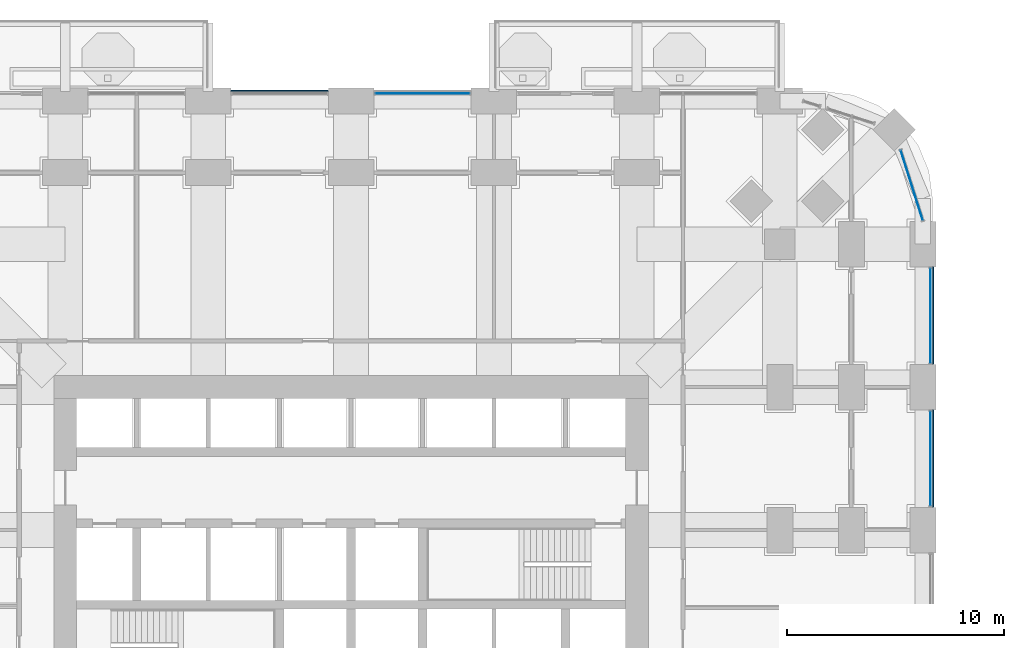
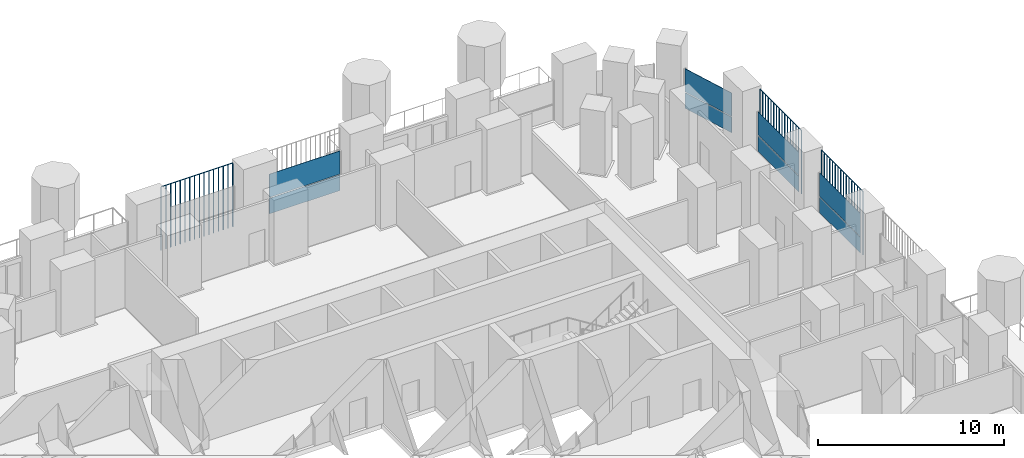
# One storey, part 16 of 27: 11 plates, 4 elements without a shape of their own.
"""IFC4 building model written with IfcOpenShell, lengths in metres."""

from ifc_helpers import new_model, si_unit, direction, frame, origin, origin_2d, place, context, subcontext, project, spatial, polyline, rectangle, outline, extrude, material, layer, layer_set, type_object, element, aggregate, save


model = new_model("IFC4")

# Units and contexts
model_context = context("Model", 3, precision=1e-05, world=origin(), true_north=direction((0.0, 1.0)))
body_context = subcontext(model_context, "Body", "Model", "MODEL_VIEW")
ifc_project = project(units=[si_unit("LENGTHUNIT", "METRE"), si_unit("AREAUNIT", "SQUARE_METRE"), si_unit("VOLUMEUNIT", "CUBIC_METRE"), si_unit("PLANEANGLEUNIT", "RADIAN"), si_unit("MASSUNIT", "GRAM", prefix="KILO")], contexts=[model_context])

# Site, building, storey
site_placement = place(None, origin())
site = spatial("IfcSite", under=ifc_project, at=site_placement, CompositionType="ELEMENT")
building_placement = place(site_placement, origin())
building = spatial("IfcBuilding", under=site, at=building_placement, Name="Cobogo Forest Laboratory Tower", CompositionType="ELEMENT")
storey_placement = place(building_placement, frame((0.0, 0.0, 63.300048828125)))
storey = spatial("IfcBuildingStorey", under=building, at=storey_placement, Name="L14", CompositionType="ELEMENT", Elevation=63.300048828125)

# Curtain wall, plates
ifc_material_1 = material(Name="Aluminium curtain wall", Category="aluminium")
curtain_wall_type = type_object("IfcCurtainWallType", Name="CW-1 unitised curtain wall, clear glazing, laboratory floors zones A and B", PredefinedType="USERDEFINED", material=ifc_material_1)
curtain_wall_1_placement = place(storey_placement, origin())
curtain_wall_1 = element("IfcCurtainWall", 1, at=curtain_wall_1_placement, inside=storey, type_object=curtain_wall_type, Name="Curtain wall 13 L14", ObjectType="UNITISED CURTAIN WALL", PredefinedType="USERDEFINED")
ifc_material_2 = material(Name="Clear insulated glass", Category="glass")
ifc_layer = layer(ifc_material_2, 0.028076171875)
ifc_layer_set = layer_set([ifc_layer], Name="GP-1 clear insulated glass unit 28")
plate_type_1 = type_object("IfcPlateType", Name="GP-1 clear insulated glass unit 28", PredefinedType="CURTAIN_PANEL", material=ifc_layer_set)
plate_1_placement = place(storey_placement, frame((53.14990234375, 29.699951171875, 0.0), z_axis=(0.0, 0.0, 1.0), x_axis=(0.0, 1.0, 0.0)))
plate_1 = element("IfcPlate", 2, at=plate_1_placement, type_object=plate_type_1, Name="CW-1 panel 1.1", PredefinedType="CURTAIN_PANEL", context=body_context, shape_type="SweptSolid", body=[
    extrude(rectangle(XDim=4.3798828125, YDim=0.028076171875, at=origin_2d()), origin(), (0.0, 0.0, 1.0), 1.02001953125),
])
plate_2_placement = place(storey_placement, frame((53.14990234375, 29.699951171875, 1.079833984375), z_axis=(0.0, 0.0, 1.0), x_axis=(0.0, 1.0, 0.0)))
plate_2 = element("IfcPlate", 3, at=plate_2_placement, type_object=plate_type_1, Name="CW-1 panel 1.2", PredefinedType="CURTAIN_PANEL", context=body_context, shape_type="SweptSolid", body=[
    extrude(rectangle(XDim=4.3798828125, YDim=0.028076171875, at=origin_2d()), origin(), (0.0, 0.0, 1.0), 1.52001953125),
])
aggregate(curtain_wall_1, [plate_1, plate_2])

curtain_wall_2_placement = place(storey_placement, origin())
curtain_wall_2 = element("IfcCurtainWall", 4, at=curtain_wall_2_placement, inside=storey, type_object=curtain_wall_type, Name="Curtain wall 14 L14", ObjectType="UNITISED CURTAIN WALL", PredefinedType="USERDEFINED")
plate_3_placement = place(storey_placement, frame((53.14990234375, 36.300048828125, 0.0), z_axis=(0.0, 0.0, 1.0), x_axis=(0.0, 1.0, 0.0)))
plate_3 = element("IfcPlate", 5, at=plate_3_placement, type_object=plate_type_1, Name="CW-1 panel 1.1", PredefinedType="CURTAIN_PANEL", context=body_context, shape_type="SweptSolid", body=[
    extrude(rectangle(XDim=4.3798828125, YDim=0.028076171875, at=origin_2d()), origin(), (0.0, 0.0, 1.0), 1.02001953125),
])
plate_4_placement = place(storey_placement, frame((53.14990234375, 36.300048828125, 1.079833984375), z_axis=(0.0, 0.0, 1.0), x_axis=(0.0, 1.0, 0.0)))
plate_4 = element("IfcPlate", 6, at=plate_4_placement, type_object=plate_type_1, Name="CW-1 panel 1.2", PredefinedType="CURTAIN_PANEL", context=body_context, shape_type="SweptSolid", body=[
    extrude(rectangle(XDim=4.3798828125, YDim=0.028076171875, at=origin_2d()), origin(), (0.0, 0.0, 1.0), 1.52001953125),
])
aggregate(curtain_wall_2, [plate_3, plate_4])

curtain_wall_3_placement = place(storey_placement, origin())
curtain_wall_3 = element("IfcCurtainWall", 7, at=curtain_wall_3_placement, inside=storey, type_object=curtain_wall_type, Name="Curtain wall 15 L14", ObjectType="UNITISED CURTAIN WALL", PredefinedType="USERDEFINED")
plate_5_placement = place(storey_placement, frame((52.291015625, 42.320068359375, 0.0), z_axis=(0.0, 0.0, 1.0), x_axis=(-0.30113535792, 0.95358140513, 0.0)))
plate_5 = element("IfcPlate", 8, at=plate_5_placement, type_object=plate_type_1, Name="CW-1 panel 1.1", PredefinedType="CURTAIN_PANEL", context=body_context, shape_type="SweptSolid", body=[
    extrude(rectangle(XDim=3.382568359375, YDim=0.028076171875, at=origin_2d()), origin(), (0.0, 0.0, 1.0), 1.02001953125),
])
plate_6_placement = place(storey_placement, frame((52.291015625, 42.320068359375, 1.079833984375), z_axis=(0.0, 0.0, 1.0), x_axis=(-0.30113535792, 0.95358140513, 0.0)))
plate_6 = element("IfcPlate", 9, at=plate_6_placement, type_object=plate_type_1, Name="CW-1 panel 1.2", PredefinedType="CURTAIN_PANEL", context=body_context, shape_type="SweptSolid", body=[
    extrude(rectangle(XDim=3.382568359375, YDim=0.028076171875, at=origin_2d()), origin(), (0.0, 0.0, 1.0), 1.52001953125),
])
aggregate(curtain_wall_3, [plate_5, plate_6])

curtain_wall_4_placement = place(storey_placement, origin())
curtain_wall_4 = element("IfcCurtainWall", 10, at=curtain_wall_4_placement, inside=storey, type_object=curtain_wall_type, Name="Curtain wall 20 L14", ObjectType="UNITISED CURTAIN WALL", PredefinedType="USERDEFINED")
plate_7_placement = place(storey_placement, frame((29.699951171875, 46.550048828125, 0.0), z_axis=(0.0, 0.0, 1.0), x_axis=(-1.0, 0.0, 0.0)))
plate_7 = element("IfcPlate", 11, at=plate_7_placement, type_object=plate_type_1, Name="CW-1 panel 1.1", PredefinedType="CURTAIN_PANEL", context=body_context, shape_type="SweptSolid", body=[
    extrude(rectangle(XDim=4.3798828125, YDim=0.028076171875, at=origin_2d()), origin(), (0.0, 0.0, 1.0), 1.02001953125),
])
plate_8_placement = place(storey_placement, frame((29.699951171875, 46.550048828125, 1.079833984375), z_axis=(0.0, 0.0, 1.0), x_axis=(-1.0, 0.0, 0.0)))
plate_8 = element("IfcPlate", 12, at=plate_8_placement, type_object=plate_type_1, Name="CW-1 panel 1.2", PredefinedType="CURTAIN_PANEL", context=body_context, shape_type="SweptSolid", body=[
    extrude(rectangle(XDim=4.3798828125, YDim=0.028076171875, at=origin_2d()), origin(), (0.0, 0.0, 1.0), 1.52001953125),
])
aggregate(curtain_wall_4, [plate_7, plate_8])

# Plates
ifc_material_3 = material(Name="Terracotta", Category="masonry")
plate_type_2 = type_object("IfcPlateType", Name="TB1 terracotta baguette screen", PredefinedType="USERDEFINED", material=ifc_material_3)
plate_9_placement = place(storey_placement, frame((53.27783203125, 27.481201171875, -0.150146484375)))
element("IfcPlate", 13, at=plate_9_placement, inside=storey, type_object=plate_type_2, Name="Baguette screen E4 L14", ObjectType="BAGUETTE SCREEN", PredefinedType="USERDEFINED", context=body_context, shape_type="SweptSolid", body=[
    extrude(outline(polyline([(0.02880859375, 0.011962890625), (0.011962890625, 0.02880859375), (-0.011962890625, 0.02880859375), (-0.02880859375, 0.011962890625), (-0.02880859375, -0.011962890625), (-0.011962890625, -0.02880859375), (0.011962890625, -0.02880859375), (0.02880859375, -0.011962890625), (0.02880859375, 0.011962890625)])), frame((0.0, 0.0, 4.168701171875), z_axis=(0.0, 1.0, 0.0), x_axis=(-1.0, 0.0, 0.0)), (0.0, 0.0, 1.0), 4.4375),
    extrude(outline(polyline([(0.02880859375, 0.011962890625), (0.011962890625, 0.02880859375), (-0.011962890625, 0.02880859375), (-0.02880859375, 0.011962890625), (-0.02880859375, -0.011962890625), (-0.011962890625, -0.02880859375), (0.011962890625, -0.02880859375), (0.02880859375, -0.011962890625), (0.02880859375, 0.011962890625)])), origin(), (0.0, 0.0, 1.0), 4.137451171875),
    extrude(outline(polyline([(0.02880859375, 0.011962890625), (0.011962890625, 0.02880859375), (-0.011962890625, 0.02880859375), (-0.02880859375, 0.011962890625), (-0.02880859375, -0.011962890625), (-0.011962890625, -0.02880859375), (0.011962890625, -0.02880859375), (0.02880859375, -0.011962890625), (0.02880859375, 0.011962890625)])), frame((0.0, 0.2958984375, 0.0)), (0.0, 0.0, 1.0), 4.137451171875),
    extrude(outline(polyline([(0.02880859375, 0.011962890625), (0.011962890625, 0.02880859375), (-0.011962890625, 0.02880859375), (-0.02880859375, 0.011962890625), (-0.02880859375, -0.011962890625), (-0.011962890625, -0.02880859375), (0.011962890625, -0.02880859375), (0.02880859375, -0.011962890625), (0.02880859375, 0.011962890625)])), frame((0.0, 0.591552734375, 0.0)), (0.0, 0.0, 1.0), 4.137451171875),
    extrude(outline(polyline([(0.02880859375, 0.011962890625), (0.011962890625, 0.02880859375), (-0.011962890625, 0.02880859375), (-0.02880859375, 0.011962890625), (-0.02880859375, -0.011962890625), (-0.011962890625, -0.02880859375), (0.011962890625, -0.02880859375), (0.02880859375, -0.011962890625), (0.02880859375, 0.011962890625)])), frame((0.0, 0.887451171875, 0.0)), (0.0, 0.0, 1.0), 4.137451171875),
    extrude(outline(polyline([(0.02880859375, 0.011962890625), (0.011962890625, 0.02880859375), (-0.011962890625, 0.02880859375), (-0.02880859375, 0.011962890625), (-0.02880859375, -0.011962890625), (-0.011962890625, -0.02880859375), (0.011962890625, -0.02880859375), (0.02880859375, -0.011962890625), (0.02880859375, 0.011962890625)])), frame((0.0, 1.183349609375, 0.0)), (0.0, 0.0, 1.0), 4.137451171875),
    extrude(outline(polyline([(0.02880859375, 0.011962890625), (0.011962890625, 0.02880859375), (-0.011962890625, 0.02880859375), (-0.02880859375, 0.011962890625), (-0.02880859375, -0.011962890625), (-0.011962890625, -0.02880859375), (0.011962890625, -0.02880859375), (0.02880859375, -0.011962890625), (0.02880859375, 0.011962890625)])), frame((0.0, 1.479248046875, 0.0)), (0.0, 0.0, 1.0), 4.137451171875),
    extrude(outline(polyline([(0.02880859375, 0.011962890625), (0.011962890625, 0.02880859375), (-0.011962890625, 0.02880859375), (-0.02880859375, 0.011962890625), (-0.02880859375, -0.011962890625), (-0.011962890625, -0.02880859375), (0.011962890625, -0.02880859375), (0.02880859375, -0.011962890625), (0.02880859375, 0.011962890625)])), frame((0.0, 1.77490234375, 0.0)), (0.0, 0.0, 1.0), 4.137451171875),
    extrude(outline(polyline([(0.02880859375, 0.011962890625), (0.011962890625, 0.02880859375), (-0.011962890625, 0.02880859375), (-0.02880859375, 0.011962890625), (-0.02880859375, -0.011962890625), (-0.011962890625, -0.02880859375), (0.011962890625, -0.02880859375), (0.02880859375, -0.011962890625), (0.02880859375, 0.011962890625)])), frame((0.0, 2.07080078125, 0.0)), (0.0, 0.0, 1.0), 4.137451171875),
    extrude(outline(polyline([(0.02880859375, 0.011962890625), (0.011962890625, 0.02880859375), (-0.011962890625, 0.02880859375), (-0.02880859375, 0.011962890625), (-0.02880859375, -0.011962890625), (-0.011962890625, -0.02880859375), (0.011962890625, -0.02880859375), (0.02880859375, -0.011962890625), (0.02880859375, 0.011962890625)])), frame((0.0, 2.36669921875, 0.0)), (0.0, 0.0, 1.0), 4.137451171875),
    extrude(outline(polyline([(0.02880859375, 0.011962890625), (0.011962890625, 0.02880859375), (-0.011962890625, 0.02880859375), (-0.02880859375, 0.011962890625), (-0.02880859375, -0.011962890625), (-0.011962890625, -0.02880859375), (0.011962890625, -0.02880859375), (0.02880859375, -0.011962890625), (0.02880859375, 0.011962890625)])), frame((0.0, 2.66259765625, 0.0)), (0.0, 0.0, 1.0), 4.137451171875),
    extrude(outline(polyline([(0.02880859375, 0.011962890625), (0.011962890625, 0.02880859375), (-0.011962890625, 0.02880859375), (-0.02880859375, 0.011962890625), (-0.02880859375, -0.011962890625), (-0.011962890625, -0.02880859375), (0.011962890625, -0.02880859375), (0.02880859375, -0.011962890625), (0.02880859375, 0.011962890625)])), frame((0.0, 2.958251953125, 0.0)), (0.0, 0.0, 1.0), 4.137451171875),
    extrude(outline(polyline([(0.02880859375, 0.011962890625), (0.011962890625, 0.02880859375), (-0.011962890625, 0.02880859375), (-0.02880859375, 0.011962890625), (-0.02880859375, -0.011962890625), (-0.011962890625, -0.02880859375), (0.011962890625, -0.02880859375), (0.02880859375, -0.011962890625), (0.02880859375, 0.011962890625)])), frame((0.0, 3.254150390625, 0.0)), (0.0, 0.0, 1.0), 4.137451171875),
    extrude(outline(polyline([(0.02880859375, 0.011962890625), (0.011962890625, 0.02880859375), (-0.011962890625, 0.02880859375), (-0.02880859375, 0.011962890625), (-0.02880859375, -0.011962890625), (-0.011962890625, -0.02880859375), (0.011962890625, -0.02880859375), (0.02880859375, -0.011962890625), (0.02880859375, 0.011962890625)])), frame((0.0, 3.550048828125, 0.0)), (0.0, 0.0, 1.0), 4.137451171875),
    extrude(outline(polyline([(0.02880859375, 0.011962890625), (0.011962890625, 0.02880859375), (-0.011962890625, 0.02880859375), (-0.02880859375, 0.011962890625), (-0.02880859375, -0.011962890625), (-0.011962890625, -0.02880859375), (0.011962890625, -0.02880859375), (0.02880859375, -0.011962890625), (0.02880859375, 0.011962890625)])), frame((0.0, 3.845947265625, 0.0)), (0.0, 0.0, 1.0), 4.137451171875),
    extrude(outline(polyline([(0.02880859375, 0.011962890625), (0.011962890625, 0.02880859375), (-0.011962890625, 0.02880859375), (-0.02880859375, 0.011962890625), (-0.02880859375, -0.011962890625), (-0.011962890625, -0.02880859375), (0.011962890625, -0.02880859375), (0.02880859375, -0.011962890625), (0.02880859375, 0.011962890625)])), frame((0.0, 4.1416015625, 0.0)), (0.0, 0.0, 1.0), 4.137451171875),
    extrude(outline(polyline([(0.02880859375, 0.011962890625), (0.011962890625, 0.02880859375), (-0.011962890625, 0.02880859375), (-0.02880859375, 0.011962890625), (-0.02880859375, -0.011962890625), (-0.011962890625, -0.02880859375), (0.011962890625, -0.02880859375), (0.02880859375, -0.011962890625), (0.02880859375, 0.011962890625)])), frame((0.0, 4.4375, 0.0)), (0.0, 0.0, 1.0), 4.137451171875),
])
plate_10_placement = place(storey_placement, frame((53.27783203125, 34.081298828125, -0.150146484375)))
element("IfcPlate", 14, at=plate_10_placement, inside=storey, type_object=plate_type_2, Name="Baguette screen E5 L14", ObjectType="BAGUETTE SCREEN", PredefinedType="USERDEFINED", context=body_context, shape_type="SweptSolid", body=[
    extrude(outline(polyline([(0.02880859375, 0.011962890625), (0.011962890625, 0.02880859375), (-0.011962890625, 0.02880859375), (-0.02880859375, 0.011962890625), (-0.02880859375, -0.011962890625), (-0.011962890625, -0.02880859375), (0.011962890625, -0.02880859375), (0.02880859375, -0.011962890625), (0.02880859375, 0.011962890625)])), frame((0.0, 0.0, 4.168701171875), z_axis=(0.0, 1.0, 0.0), x_axis=(-1.0, 0.0, 0.0)), (0.0, 0.0, 1.0), 4.4375),
    extrude(outline(polyline([(0.02880859375, 0.011962890625), (0.011962890625, 0.02880859375), (-0.011962890625, 0.02880859375), (-0.02880859375, 0.011962890625), (-0.02880859375, -0.011962890625), (-0.011962890625, -0.02880859375), (0.011962890625, -0.02880859375), (0.02880859375, -0.011962890625), (0.02880859375, 0.011962890625)])), origin(), (0.0, 0.0, 1.0), 4.137451171875),
    extrude(outline(polyline([(0.02880859375, 0.011962890625), (0.011962890625, 0.02880859375), (-0.011962890625, 0.02880859375), (-0.02880859375, 0.011962890625), (-0.02880859375, -0.011962890625), (-0.011962890625, -0.02880859375), (0.011962890625, -0.02880859375), (0.02880859375, -0.011962890625), (0.02880859375, 0.011962890625)])), frame((0.0, 0.2958984375, 0.0)), (0.0, 0.0, 1.0), 4.137451171875),
    extrude(outline(polyline([(0.02880859375, 0.011962890625), (0.011962890625, 0.02880859375), (-0.011962890625, 0.02880859375), (-0.02880859375, 0.011962890625), (-0.02880859375, -0.011962890625), (-0.011962890625, -0.02880859375), (0.011962890625, -0.02880859375), (0.02880859375, -0.011962890625), (0.02880859375, 0.011962890625)])), frame((0.0, 0.591552734375, 0.0)), (0.0, 0.0, 1.0), 4.137451171875),
    extrude(outline(polyline([(0.02880859375, 0.011962890625), (0.011962890625, 0.02880859375), (-0.011962890625, 0.02880859375), (-0.02880859375, 0.011962890625), (-0.02880859375, -0.011962890625), (-0.011962890625, -0.02880859375), (0.011962890625, -0.02880859375), (0.02880859375, -0.011962890625), (0.02880859375, 0.011962890625)])), frame((0.0, 0.887451171875, 0.0)), (0.0, 0.0, 1.0), 4.137451171875),
    extrude(outline(polyline([(0.02880859375, 0.011962890625), (0.011962890625, 0.02880859375), (-0.011962890625, 0.02880859375), (-0.02880859375, 0.011962890625), (-0.02880859375, -0.011962890625), (-0.011962890625, -0.02880859375), (0.011962890625, -0.02880859375), (0.02880859375, -0.011962890625), (0.02880859375, 0.011962890625)])), frame((0.0, 1.183349609375, 0.0)), (0.0, 0.0, 1.0), 4.137451171875),
    extrude(outline(polyline([(0.02880859375, 0.011962890625), (0.011962890625, 0.02880859375), (-0.011962890625, 0.02880859375), (-0.02880859375, 0.011962890625), (-0.02880859375, -0.011962890625), (-0.011962890625, -0.02880859375), (0.011962890625, -0.02880859375), (0.02880859375, -0.011962890625), (0.02880859375, 0.011962890625)])), frame((0.0, 1.479248046875, 0.0)), (0.0, 0.0, 1.0), 4.137451171875),
    extrude(outline(polyline([(0.02880859375, 0.011962890625), (0.011962890625, 0.02880859375), (-0.011962890625, 0.02880859375), (-0.02880859375, 0.011962890625), (-0.02880859375, -0.011962890625), (-0.011962890625, -0.02880859375), (0.011962890625, -0.02880859375), (0.02880859375, -0.011962890625), (0.02880859375, 0.011962890625)])), frame((0.0, 1.77490234375, 0.0)), (0.0, 0.0, 1.0), 4.137451171875),
    extrude(outline(polyline([(0.02880859375, 0.011962890625), (0.011962890625, 0.02880859375), (-0.011962890625, 0.02880859375), (-0.02880859375, 0.011962890625), (-0.02880859375, -0.011962890625), (-0.011962890625, -0.02880859375), (0.011962890625, -0.02880859375), (0.02880859375, -0.011962890625), (0.02880859375, 0.011962890625)])), frame((0.0, 2.07080078125, 0.0)), (0.0, 0.0, 1.0), 4.137451171875),
    extrude(outline(polyline([(0.02880859375, 0.011962890625), (0.011962890625, 0.02880859375), (-0.011962890625, 0.02880859375), (-0.02880859375, 0.011962890625), (-0.02880859375, -0.011962890625), (-0.011962890625, -0.02880859375), (0.011962890625, -0.02880859375), (0.02880859375, -0.011962890625), (0.02880859375, 0.011962890625)])), frame((0.0, 2.36669921875, 0.0)), (0.0, 0.0, 1.0), 4.137451171875),
    extrude(outline(polyline([(0.02880859375, 0.011962890625), (0.011962890625, 0.02880859375), (-0.011962890625, 0.02880859375), (-0.02880859375, 0.011962890625), (-0.02880859375, -0.011962890625), (-0.011962890625, -0.02880859375), (0.011962890625, -0.02880859375), (0.02880859375, -0.011962890625), (0.02880859375, 0.011962890625)])), frame((0.0, 2.66259765625, 0.0)), (0.0, 0.0, 1.0), 4.137451171875),
    extrude(outline(polyline([(0.02880859375, 0.011962890625), (0.011962890625, 0.02880859375), (-0.011962890625, 0.02880859375), (-0.02880859375, 0.011962890625), (-0.02880859375, -0.011962890625), (-0.011962890625, -0.02880859375), (0.011962890625, -0.02880859375), (0.02880859375, -0.011962890625), (0.02880859375, 0.011962890625)])), frame((0.0, 2.958251953125, 0.0)), (0.0, 0.0, 1.0), 4.137451171875),
    extrude(outline(polyline([(0.02880859375, 0.011962890625), (0.011962890625, 0.02880859375), (-0.011962890625, 0.02880859375), (-0.02880859375, 0.011962890625), (-0.02880859375, -0.011962890625), (-0.011962890625, -0.02880859375), (0.011962890625, -0.02880859375), (0.02880859375, -0.011962890625), (0.02880859375, 0.011962890625)])), frame((0.0, 3.254150390625, 0.0)), (0.0, 0.0, 1.0), 4.137451171875),
    extrude(outline(polyline([(0.02880859375, 0.011962890625), (0.011962890625, 0.02880859375), (-0.011962890625, 0.02880859375), (-0.02880859375, 0.011962890625), (-0.02880859375, -0.011962890625), (-0.011962890625, -0.02880859375), (0.011962890625, -0.02880859375), (0.02880859375, -0.011962890625), (0.02880859375, 0.011962890625)])), frame((0.0, 3.550048828125, 0.0)), (0.0, 0.0, 1.0), 4.137451171875),
    extrude(outline(polyline([(0.02880859375, 0.011962890625), (0.011962890625, 0.02880859375), (-0.011962890625, 0.02880859375), (-0.02880859375, 0.011962890625), (-0.02880859375, -0.011962890625), (-0.011962890625, -0.02880859375), (0.011962890625, -0.02880859375), (0.02880859375, -0.011962890625), (0.02880859375, 0.011962890625)])), frame((0.0, 3.845947265625, 0.0)), (0.0, 0.0, 1.0), 4.137451171875),
    extrude(outline(polyline([(0.02880859375, 0.011962890625), (0.011962890625, 0.02880859375), (-0.011962890625, 0.02880859375), (-0.02880859375, 0.011962890625), (-0.02880859375, -0.011962890625), (-0.011962890625, -0.02880859375), (0.011962890625, -0.02880859375), (0.02880859375, -0.011962890625), (0.02880859375, 0.011962890625)])), frame((0.0, 4.1416015625, 0.0)), (0.0, 0.0, 1.0), 4.137451171875),
    extrude(outline(polyline([(0.02880859375, 0.011962890625), (0.011962890625, 0.02880859375), (-0.011962890625, 0.02880859375), (-0.02880859375, 0.011962890625), (-0.02880859375, -0.011962890625), (-0.011962890625, -0.02880859375), (0.011962890625, -0.02880859375), (0.02880859375, -0.011962890625), (0.02880859375, 0.011962890625)])), frame((0.0, 4.4375, 0.0)), (0.0, 0.0, 1.0), 4.137451171875),
])
plate_11_placement = place(storey_placement, frame((20.88134765625, 46.677978515625, -0.150146484375)))
element("IfcPlate", 15, at=plate_11_placement, inside=storey, type_object=plate_type_2, Name="Baguette screen N3 L14", ObjectType="BAGUETTE SCREEN", PredefinedType="USERDEFINED", context=body_context, shape_type="SweptSolid", body=[
    extrude(outline(polyline([(0.02880859375, 0.011962890625), (0.011962890625, 0.02880859375), (-0.011962890625, 0.02880859375), (-0.02880859375, 0.011962890625), (-0.02880859375, -0.011962890625), (-0.011962890625, -0.02880859375), (0.011962890625, -0.02880859375), (0.02880859375, -0.011962890625), (0.02880859375, 0.011962890625)])), frame((0.0, 0.0, 4.168701171875), z_axis=(1.0, 0.0, 0.0), x_axis=(0.0, 1.0, 0.0)), (0.0, 0.0, 1.0), 4.4375),
    extrude(outline(polyline([(0.02880859375, 0.011962890625), (0.011962890625, 0.02880859375), (-0.011962890625, 0.02880859375), (-0.02880859375, 0.011962890625), (-0.02880859375, -0.011962890625), (-0.011962890625, -0.02880859375), (0.011962890625, -0.02880859375), (0.02880859375, -0.011962890625), (0.02880859375, 0.011962890625)])), origin(), (0.0, 0.0, 1.0), 4.137451171875),
    extrude(outline(polyline([(0.02880859375, 0.011962890625), (0.011962890625, 0.02880859375), (-0.011962890625, 0.02880859375), (-0.02880859375, 0.011962890625), (-0.02880859375, -0.011962890625), (-0.011962890625, -0.02880859375), (0.011962890625, -0.02880859375), (0.02880859375, -0.011962890625), (0.02880859375, 0.011962890625)])), frame((0.2958984375, 0.0, 0.0)), (0.0, 0.0, 1.0), 4.137451171875),
    extrude(outline(polyline([(0.02880859375, 0.011962890625), (0.011962890625, 0.02880859375), (-0.011962890625, 0.02880859375), (-0.02880859375, 0.011962890625), (-0.02880859375, -0.011962890625), (-0.011962890625, -0.02880859375), (0.011962890625, -0.02880859375), (0.02880859375, -0.011962890625), (0.02880859375, 0.011962890625)])), frame((0.591552734375, 0.0, 0.0)), (0.0, 0.0, 1.0), 4.137451171875),
    extrude(outline(polyline([(0.02880859375, 0.011962890625), (0.011962890625, 0.02880859375), (-0.011962890625, 0.02880859375), (-0.02880859375, 0.011962890625), (-0.02880859375, -0.011962890625), (-0.011962890625, -0.02880859375), (0.011962890625, -0.02880859375), (0.02880859375, -0.011962890625), (0.02880859375, 0.011962890625)])), frame((0.887451171875, 0.0, 0.0)), (0.0, 0.0, 1.0), 4.137451171875),
    extrude(outline(polyline([(0.02880859375, 0.011962890625), (0.011962890625, 0.02880859375), (-0.011962890625, 0.02880859375), (-0.02880859375, 0.011962890625), (-0.02880859375, -0.011962890625), (-0.011962890625, -0.02880859375), (0.011962890625, -0.02880859375), (0.02880859375, -0.011962890625), (0.02880859375, 0.011962890625)])), frame((1.183349609375, 0.0, 0.0)), (0.0, 0.0, 1.0), 4.137451171875),
    extrude(outline(polyline([(0.02880859375, 0.011962890625), (0.011962890625, 0.02880859375), (-0.011962890625, 0.02880859375), (-0.02880859375, 0.011962890625), (-0.02880859375, -0.011962890625), (-0.011962890625, -0.02880859375), (0.011962890625, -0.02880859375), (0.02880859375, -0.011962890625), (0.02880859375, 0.011962890625)])), frame((1.479248046875, 0.0, 0.0)), (0.0, 0.0, 1.0), 4.137451171875),
    extrude(outline(polyline([(0.02880859375, 0.011962890625), (0.011962890625, 0.02880859375), (-0.011962890625, 0.02880859375), (-0.02880859375, 0.011962890625), (-0.02880859375, -0.011962890625), (-0.011962890625, -0.02880859375), (0.011962890625, -0.02880859375), (0.02880859375, -0.011962890625), (0.02880859375, 0.011962890625)])), frame((1.77490234375, 0.0, 0.0)), (0.0, 0.0, 1.0), 4.137451171875),
    extrude(outline(polyline([(0.02880859375, 0.011962890625), (0.011962890625, 0.02880859375), (-0.011962890625, 0.02880859375), (-0.02880859375, 0.011962890625), (-0.02880859375, -0.011962890625), (-0.011962890625, -0.02880859375), (0.011962890625, -0.02880859375), (0.02880859375, -0.011962890625), (0.02880859375, 0.011962890625)])), frame((2.07080078125, 0.0, 0.0)), (0.0, 0.0, 1.0), 4.137451171875),
    extrude(outline(polyline([(0.02880859375, 0.011962890625), (0.011962890625, 0.02880859375), (-0.011962890625, 0.02880859375), (-0.02880859375, 0.011962890625), (-0.02880859375, -0.011962890625), (-0.011962890625, -0.02880859375), (0.011962890625, -0.02880859375), (0.02880859375, -0.011962890625), (0.02880859375, 0.011962890625)])), frame((2.36669921875, 0.0, 0.0)), (0.0, 0.0, 1.0), 4.137451171875),
    extrude(outline(polyline([(0.02880859375, 0.011962890625), (0.011962890625, 0.02880859375), (-0.011962890625, 0.02880859375), (-0.02880859375, 0.011962890625), (-0.02880859375, -0.011962890625), (-0.011962890625, -0.02880859375), (0.011962890625, -0.02880859375), (0.02880859375, -0.011962890625), (0.02880859375, 0.011962890625)])), frame((2.66259765625, 0.0, 0.0)), (0.0, 0.0, 1.0), 4.137451171875),
    extrude(outline(polyline([(0.02880859375, 0.011962890625), (0.011962890625, 0.02880859375), (-0.011962890625, 0.02880859375), (-0.02880859375, 0.011962890625), (-0.02880859375, -0.011962890625), (-0.011962890625, -0.02880859375), (0.011962890625, -0.02880859375), (0.02880859375, -0.011962890625), (0.02880859375, 0.011962890625)])), frame((2.958251953125, 0.0, 0.0)), (0.0, 0.0, 1.0), 4.137451171875),
    extrude(outline(polyline([(0.02880859375, 0.011962890625), (0.011962890625, 0.02880859375), (-0.011962890625, 0.02880859375), (-0.02880859375, 0.011962890625), (-0.02880859375, -0.011962890625), (-0.011962890625, -0.02880859375), (0.011962890625, -0.02880859375), (0.02880859375, -0.011962890625), (0.02880859375, 0.011962890625)])), frame((3.254150390625, 0.0, 0.0)), (0.0, 0.0, 1.0), 4.137451171875),
    extrude(outline(polyline([(0.02880859375, 0.011962890625), (0.011962890625, 0.02880859375), (-0.011962890625, 0.02880859375), (-0.02880859375, 0.011962890625), (-0.02880859375, -0.011962890625), (-0.011962890625, -0.02880859375), (0.011962890625, -0.02880859375), (0.02880859375, -0.011962890625), (0.02880859375, 0.011962890625)])), frame((3.550048828125, 0.0, 0.0)), (0.0, 0.0, 1.0), 4.137451171875),
    extrude(outline(polyline([(0.02880859375, 0.011962890625), (0.011962890625, 0.02880859375), (-0.011962890625, 0.02880859375), (-0.02880859375, 0.011962890625), (-0.02880859375, -0.011962890625), (-0.011962890625, -0.02880859375), (0.011962890625, -0.02880859375), (0.02880859375, -0.011962890625), (0.02880859375, 0.011962890625)])), frame((3.845947265625, 0.0, 0.0)), (0.0, 0.0, 1.0), 4.137451171875),
    extrude(outline(polyline([(0.02880859375, 0.011962890625), (0.011962890625, 0.02880859375), (-0.011962890625, 0.02880859375), (-0.02880859375, 0.011962890625), (-0.02880859375, -0.011962890625), (-0.011962890625, -0.02880859375), (0.011962890625, -0.02880859375), (0.02880859375, -0.011962890625), (0.02880859375, 0.011962890625)])), frame((4.1416015625, 0.0, 0.0)), (0.0, 0.0, 1.0), 4.137451171875),
    extrude(outline(polyline([(0.02880859375, 0.011962890625), (0.011962890625, 0.02880859375), (-0.011962890625, 0.02880859375), (-0.02880859375, 0.011962890625), (-0.02880859375, -0.011962890625), (-0.011962890625, -0.02880859375), (0.011962890625, -0.02880859375), (0.02880859375, -0.011962890625), (0.02880859375, 0.011962890625)])), frame((4.4375, 0.0, 0.0)), (0.0, 0.0, 1.0), 4.137451171875),
])

save(model, "model.ifc")
